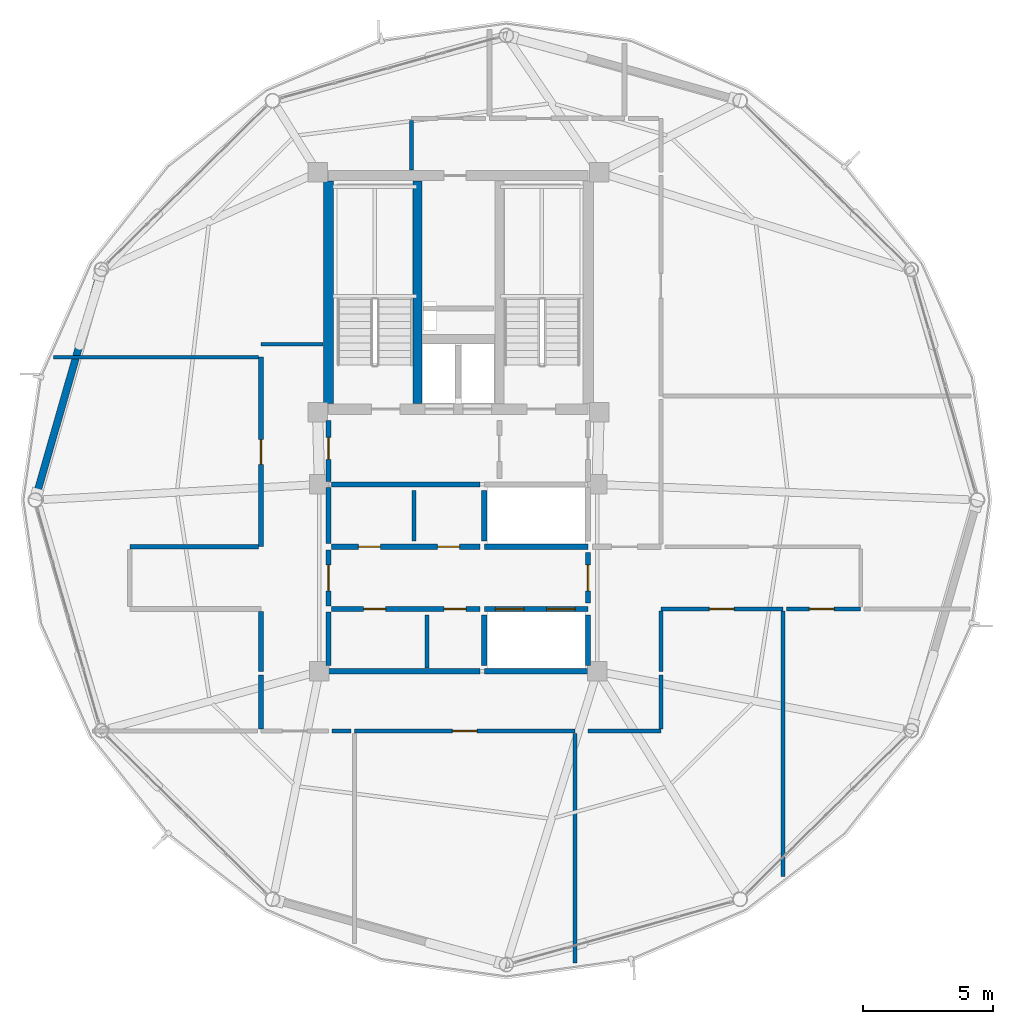
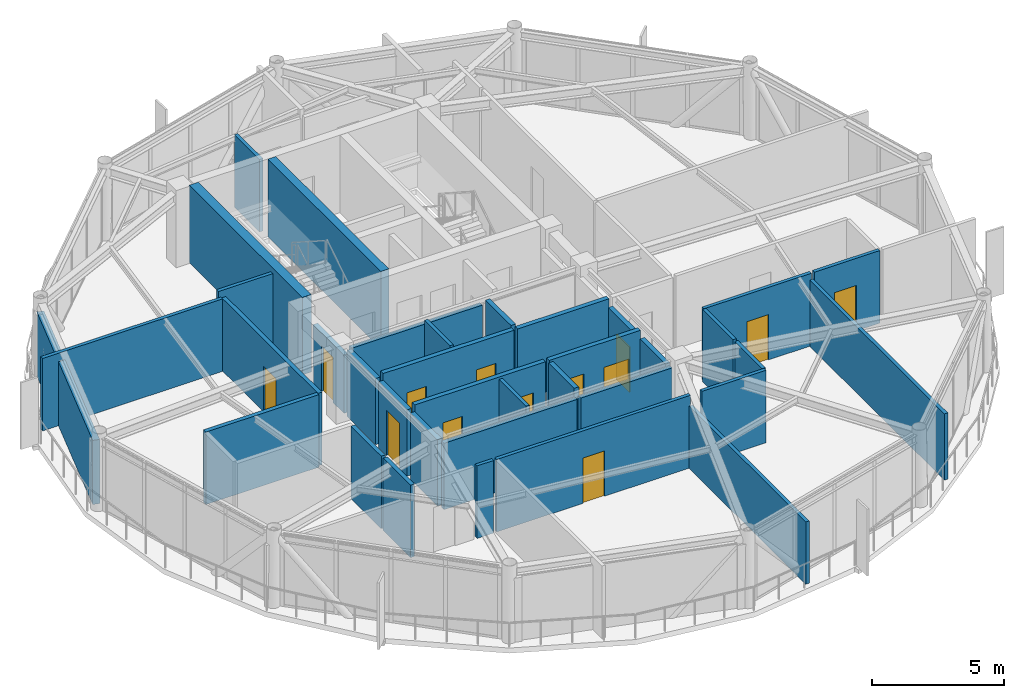
# One storey, part 21 of 26: 36 walls, 13 doors, 13 openings.
"""IFC4 building model written with IfcOpenShell, lengths in metres."""

from ifc_helpers import new_model, si_unit, direction, frame, frame_2d, origin, place, context, subcontext, project, spatial, rectangle, extrude, material, layer, layer_set, type_object, element, fill, save


model = new_model("IFC4")

# Units and contexts
model_context = context("Model", 3, precision=1e-05, world=origin(), true_north=direction((0.0, 1.0)))
body_context = subcontext(model_context, "Body", "Model", "MODEL_VIEW")
ifc_project = project(units=[si_unit("LENGTHUNIT", "METRE"), si_unit("AREAUNIT", "SQUARE_METRE"), si_unit("VOLUMEUNIT", "CUBIC_METRE"), si_unit("PLANEANGLEUNIT", "RADIAN"), si_unit("MASSUNIT", "GRAM", prefix="KILO")], contexts=[model_context])

# Site, building, storey
site_placement = place(None, origin())
site = spatial("IfcSite", under=ifc_project, at=site_placement, CompositionType="ELEMENT")
building_placement = place(site_placement, origin())
building = spatial("IfcBuilding", under=site, at=building_placement, Name="Varnakorn Sky Granary", CompositionType="ELEMENT")
storey_placement = place(building_placement, frame((0.0, 0.0, 267.0)))
storey = spatial("IfcBuildingStorey", under=building, at=storey_placement, Name="L68", CompositionType="ELEMENT", Elevation=267.0)

# Walls
ifc_material_1 = material(Name="Concrete C50/60", Category="concrete")
ifc_layer_1 = layer(ifc_material_1, 0.35009765625, Name="Concrete C50/60")
ifc_layer_set_1 = layer_set([ifc_layer_1], Name="Concrete C50/60")
wall_type_1 = type_object("IfcWallType", Name="WT-CW-INT-350", PredefinedType="SHEAR", material=ifc_layer_set_1)
wall_1_placement = place(storey_placement, frame((1.419921875, 3.7099609375, 0.0), z_axis=(0.0, 0.0, 1.0), x_axis=(0.0, 1.0, 0.0)))
element("IfcWall", 1, at=wall_1_placement, inside=storey, type_object=wall_type_1, Name="Stair ST-1 Core Wall L68", PredefinedType="SHEAR", context=body_context, shape_type="SweptSolid", body=[
    extrude(rectangle(XDim=8.580078125, YDim=0.35009765625, at=frame_2d((4.2900390625, 0.0))), origin(), (0.0, 0.0, 1.0), 3.592041015625),
])
ifc_layer_2 = layer(ifc_material_1, 0.39990234375, Name="Concrete C50/60")
ifc_layer_set_2 = layer_set([ifc_layer_2], Name="Concrete C50/60")
wall_type_2 = type_object("IfcWallType", Name="WT-CW-SHEAR-400", PredefinedType="SHEAR", material=ifc_layer_set_2)
wall_2_placement = place(storey_placement, frame((-2.0, 3.7099609375, 0.0), z_axis=(0.0, 0.0, 1.0), x_axis=(0.0, 1.0, 0.0)))
element("IfcWall", 2, at=wall_2_placement, inside=storey, type_object=wall_type_2, Name="Core West Shear Wall L68", PredefinedType="SHEAR", context=body_context, shape_type="SweptSolid", body=[
    extrude(rectangle(XDim=8.580078125, YDim=0.39990234375, at=frame_2d((4.2900390625, 0.0))), origin(), (0.0, 0.0, 1.0), 3.592041015625),
])
ifc_material_2 = material(Name="Precast concrete C40/50", Category="concrete")
ifc_layer_3 = layer(ifc_material_2, 0.280029296875, Name="Precast concrete C40/50")
ifc_layer_set_3 = layer_set([ifc_layer_3], Name="Precast concrete C40/50")
wall_type_3 = type_object("IfcWallType", Name="WT-EW-CRN-280", PredefinedType="SOLIDWALL", material=ifc_layer_set_3)
wall_3_placement = place(storey_placement, frame((-13.2412109375, 0.225341796875, 0.0), z_axis=(0.0, 0.0, 1.0), x_axis=(0.275816158288, 0.961210407157, 0.0)))
element("IfcWall", 3, at=wall_3_placement, inside=storey, type_object=wall_type_3, Name="Agritech Insulated Precast Facade Wall L68-P06", PredefinedType="SOLIDWALL", context=body_context, shape_type="SweptSolid", body=[
    extrude(rectangle(XDim=8.773681640625, YDim=0.280029296875, at=frame_2d((4.38671875, 0.0))), origin(), (0.0, 0.0, 1.0), 2.969970703125),
])

# Wall, opening, door
ifc_material_3 = material(Name="Autoclaved Aerated Concrete Blockwork", Category="masonry")
ifc_layer_4 = layer(ifc_material_3, 0.199951171875, Name="Autoclaved Aerated Concrete Blockwork")
ifc_layer_set_4 = layer_set([ifc_layer_4], Name="Autoclaved Aerated Concrete Blockwork")
wall_type_4 = type_object("IfcWallType", Name="WT-FIRE-200", PredefinedType="MOVABLE", material=ifc_layer_set_4)
wall_4_placement = place(storey_placement, frame((-2.0, 0.719970703125, 0.0), z_axis=(0.0, 0.0, 1.0), x_axis=(0.0, 1.0, 0.0)))
wall_4 = element("IfcWall", 4, at=wall_4_placement, inside=storey, type_object=wall_type_4, Name="Interior Partition Wall L68-012", PredefinedType="MOVABLE", context=body_context, shape_type="SweptSolid", body=[
    extrude(rectangle(XDim=2.35009765625, YDim=0.199951171875, at=frame_2d((1.175048828125, 0.0))), origin(), (0.0, 0.0, 1.0), 2.69189453125),
])
opening_1_placement = place(wall_4_placement, frame((0.844970703125, 0.0, 0.0)))
opening_1 = element("IfcOpeningElement", 5, at=opening_1_placement, cuts=wall_4, Name="Opening FD-60N", PredefinedType="OPENING", context=body_context, shape_type="SweptSolid", body=[
    extrude(rectangle(XDim=0.85009765625, YDim=2.10009765625, at=frame_2d((0.425048828125, 1.050048828125))), frame((0.0, 0.10986328125, 0.0), z_axis=(0.0, -1.0, 0.0), x_axis=(1.0, 0.0, 0.0)), (0.0, 0.0, 1.0), 0.219970703125),
])
ifc_material_4 = material(Name="Acoustic Timber Fire Leaf", Category="wood")
door_type_1 = type_object("IfcDoorType", Name="DR-FD60-850", OperationType="NOTDEFINED", PredefinedType="DOOR", material=ifc_material_4)
door_1_placement = place(opening_1_placement, origin())
door_1 = element("IfcDoor", 6, at=door_1_placement, inside=storey, type_object=door_type_1, Name="Interior Door L68-012-1", OperationType="SINGLE_SWING_LEFT", OverallHeight=2.10009765625, OverallWidth=0.85009765625, PredefinedType="DOOR", context=body_context, shape_type="SweptSolid", body=[
    extrude(rectangle(XDim=0.85009765625, YDim=2.10009765625, at=frame_2d((0.425048828125, 1.050048828125))), frame((0.0, 0.02490234375, 0.0), z_axis=(0.0, -1.0, 0.0), x_axis=(1.0, 0.0, 0.0)), (0.0, 0.0, 1.0), 0.050048828125),
])
fill(opening_1, door_1)

wall_5_placement = place(storey_placement, frame((-2.0, -4.080078125, 0.0), z_axis=(0.0, 0.0, 1.0), x_axis=(0.0, 1.0, 0.0)))
wall_5 = element("IfcWall", 7, at=wall_5_placement, inside=storey, type_object=wall_type_4, Name="Interior Partition Wall L68-014", PredefinedType="MOVABLE", context=body_context, shape_type="SweptSolid", body=[
    extrude(rectangle(XDim=2.16015625, YDim=0.199951171875, at=frame_2d((1.080078125, 0.0))), origin(), (0.0, 0.0, 1.0), 3.072021484375),
])
opening_2_placement = place(wall_5_placement, frame((0.580078125, 0.0, 0.0)))
opening_2 = element("IfcOpeningElement", 8, at=opening_2_placement, cuts=wall_5, Name="Opening FD-60", PredefinedType="OPENING", context=body_context, shape_type="SweptSolid", body=[
    extrude(rectangle(XDim=1.0, YDim=2.10009765625, at=frame_2d((0.5, 1.050048828125))), frame((0.0, 0.10986328125, 0.0), z_axis=(0.0, -1.0, 0.0), x_axis=(1.0, 0.0, 0.0)), (0.0, 0.0, 1.0), 0.219970703125),
])
door_type_2 = type_object("IfcDoorType", Name="DR-FD60-1000", OperationType="NOTDEFINED", PredefinedType="DOOR", material=ifc_material_4)
door_2_placement = place(opening_2_placement, origin())
door_2 = element("IfcDoor", 9, at=door_2_placement, inside=storey, type_object=door_type_2, Name="Interior Door L68-014-1", OperationType="SINGLE_SWING_LEFT", OverallHeight=2.10009765625, OverallWidth=1.0, PredefinedType="DOOR", context=body_context, shape_type="SweptSolid", body=[
    extrude(rectangle(XDim=1.0, YDim=2.10009765625, at=frame_2d((0.5, 1.050048828125))), frame((0.0, 0.02490234375, 0.0), z_axis=(0.0, -1.0, 0.0), x_axis=(1.0, 0.0, 0.0)), (0.0, 0.0, 1.0), 0.050048828125),
])
fill(opening_2, door_2)

wall_6_placement = place(storey_placement, frame((8.0, -3.969970703125, 0.0), z_axis=(0.0, 0.0, 1.0), x_axis=(0.0, 1.0, 0.0)))
wall_6 = element("IfcWall", 10, at=wall_6_placement, inside=storey, type_object=wall_type_4, Name="Interior Partition Wall L68-015", PredefinedType="MOVABLE", context=body_context, shape_type="SweptSolid", body=[
    extrude(rectangle(XDim=1.93994140625, YDim=0.199951171875, at=frame_2d((0.969970703125, 0.0))), origin(), (0.0, 0.0, 1.0), 3.072021484375),
])
opening_3_placement = place(wall_6_placement, frame((0.469970703125, 0.0, 0.0)))
opening_3 = element("IfcOpeningElement", 11, at=opening_3_placement, cuts=wall_6, Name="Opening FD-60", PredefinedType="OPENING", context=body_context, shape_type="SweptSolid", body=[
    extrude(rectangle(XDim=1.0, YDim=2.10009765625, at=frame_2d((0.5, 1.050048828125))), frame((0.0, 0.10986328125, 0.0), z_axis=(0.0, -1.0, 0.0), x_axis=(1.0, 0.0, 0.0)), (0.0, 0.0, 1.0), 0.219970703125),
])
door_3_placement = place(opening_3_placement, origin())
door_3 = element("IfcDoor", 12, at=door_3_placement, inside=storey, type_object=door_type_2, Name="Interior Door L68-015-1", OperationType="SINGLE_SWING_RIGHT", OverallHeight=2.10009765625, OverallWidth=1.0, PredefinedType="DOOR", context=body_context, shape_type="SweptSolid", body=[
    extrude(rectangle(XDim=1.0, YDim=2.10009765625, at=frame_2d((0.5, 1.050048828125))), frame((0.0, 0.02490234375, 0.0), z_axis=(0.0, -1.0, 0.0), x_axis=(1.0, 0.0, 0.0)), (0.0, 0.0, 1.0), 0.050048828125),
])
fill(opening_3, door_3)

# Wall, openings, doors
wall_7_placement = place(storey_placement, frame((-1.889892578125, -1.800048828125, 0.0), z_axis=(0.0, 0.0, 1.0), x_axis=(1.0, 0.0, 0.0)))
wall_7 = element("IfcWall", 13, at=wall_7_placement, inside=storey, type_object=wall_type_4, Name="Interior Partition Wall L68-016", PredefinedType="MOVABLE", context=body_context, shape_type="SweptSolid", body=[
    extrude(rectangle(XDim=5.72998046875, YDim=0.199951171875, at=frame_2d((2.864990234375, 0.0))), origin(), (0.0, 0.0, 1.0), 3.360107421875),
])
opening_4_placement = place(wall_7_placement, frame((1.0400390625, 0.0, 0.0)))
opening_4 = element("IfcOpeningElement", 14, at=opening_4_placement, cuts=wall_7, Name="Opening FD-60N", PredefinedType="OPENING", context=body_context, shape_type="SweptSolid", body=[
    extrude(rectangle(XDim=0.85009765625, YDim=2.10009765625, at=frame_2d((0.425048828125, 1.050048828125))), frame((0.0, 0.10986328125, 0.0), z_axis=(0.0, -1.0, 0.0), x_axis=(1.0, 0.0, 0.0)), (0.0, 0.0, 1.0), 0.219970703125),
])
opening_5_placement = place(wall_7_placement, frame((4.090087890625, 0.0, 0.0)))
opening_5 = element("IfcOpeningElement", 15, at=opening_5_placement, cuts=wall_7, Name="Opening FD-60N", PredefinedType="OPENING", context=body_context, shape_type="SweptSolid", body=[
    extrude(rectangle(XDim=0.85009765625, YDim=2.10009765625, at=frame_2d((0.425048828125, 1.050048828125))), frame((0.0, 0.10986328125, 0.0), z_axis=(0.0, -1.0, 0.0), x_axis=(1.0, 0.0, 0.0)), (0.0, 0.0, 1.0), 0.219970703125),
])
door_4_placement = place(opening_4_placement, origin())
door_4 = element("IfcDoor", 16, at=door_4_placement, inside=storey, type_object=door_type_1, Name="Interior Door L68-016-1", OperationType="SINGLE_SWING_LEFT", OverallHeight=2.10009765625, OverallWidth=0.85009765625, PredefinedType="DOOR", context=body_context, shape_type="SweptSolid", body=[
    extrude(rectangle(XDim=0.85009765625, YDim=2.10009765625, at=frame_2d((0.425048828125, 1.050048828125))), frame((0.0, 0.02490234375, 0.0), z_axis=(0.0, -1.0, 0.0), x_axis=(1.0, 0.0, 0.0)), (0.0, 0.0, 1.0), 0.050048828125),
])
fill(opening_4, door_4)
door_5_placement = place(opening_5_placement, origin())
door_5 = element("IfcDoor", 17, at=door_5_placement, inside=storey, type_object=door_type_1, Name="Interior Door L68-016-2", OperationType="SINGLE_SWING_RIGHT", OverallHeight=2.10009765625, OverallWidth=0.85009765625, PredefinedType="DOOR", context=body_context, shape_type="SweptSolid", body=[
    extrude(rectangle(XDim=0.85009765625, YDim=2.10009765625, at=frame_2d((0.425048828125, 1.050048828125))), frame((0.0, 0.02490234375, 0.0), z_axis=(0.0, -1.0, 0.0), x_axis=(1.0, 0.0, 0.0)), (0.0, 0.0, 1.0), 0.050048828125),
])
fill(opening_5, door_5)

wall_8_placement = place(storey_placement, frame((-1.889892578125, -4.199951171875, 0.0), z_axis=(0.0, 0.0, 1.0), x_axis=(1.0, 0.0, 0.0)))
wall_8 = element("IfcWall", 18, at=wall_8_placement, inside=storey, type_object=wall_type_4, Name="Interior Partition Wall L68-017", PredefinedType="MOVABLE", context=body_context, shape_type="SweptSolid", body=[
    extrude(rectangle(XDim=5.72998046875, YDim=0.199951171875, at=frame_2d((2.864990234375, 0.0))), origin(), (0.0, 0.0, 1.0), 3.360107421875),
])
opening_6_placement = place(wall_8_placement, frame((1.239990234375, 0.0, 0.0)))
opening_6 = element("IfcOpeningElement", 19, at=opening_6_placement, cuts=wall_8, Name="Opening FD-60N", PredefinedType="OPENING", context=body_context, shape_type="SweptSolid", body=[
    extrude(rectangle(XDim=0.85009765625, YDim=2.10009765625, at=frame_2d((0.425048828125, 1.050048828125))), frame((0.0, 0.10986328125, 0.0), z_axis=(0.0, -1.0, 0.0), x_axis=(1.0, 0.0, 0.0)), (0.0, 0.0, 1.0), 0.219970703125),
])
opening_7_placement = place(wall_8_placement, frame((4.340087890625, 0.0, 0.0)))
opening_7 = element("IfcOpeningElement", 20, at=opening_7_placement, cuts=wall_8, Name="Opening FD-60N", PredefinedType="OPENING", context=body_context, shape_type="SweptSolid", body=[
    extrude(rectangle(XDim=0.85009765625, YDim=2.10009765625, at=frame_2d((0.425048828125, 1.050048828125))), frame((0.0, 0.10986328125, 0.0), z_axis=(0.0, -1.0, 0.0), x_axis=(1.0, 0.0, 0.0)), (0.0, 0.0, 1.0), 0.219970703125),
])
door_6_placement = place(opening_6_placement, origin())
door_6 = element("IfcDoor", 21, at=door_6_placement, inside=storey, type_object=door_type_1, Name="Interior Door L68-017-1", OperationType="SINGLE_SWING_LEFT", OverallHeight=2.10009765625, OverallWidth=0.85009765625, PredefinedType="DOOR", context=body_context, shape_type="SweptSolid", body=[
    extrude(rectangle(XDim=0.85009765625, YDim=2.10009765625, at=frame_2d((0.425048828125, 1.050048828125))), frame((0.0, 0.02490234375, 0.0), z_axis=(0.0, -1.0, 0.0), x_axis=(1.0, 0.0, 0.0)), (0.0, 0.0, 1.0), 0.050048828125),
])
fill(opening_6, door_6)
door_7_placement = place(opening_7_placement, origin())
door_7 = element("IfcDoor", 22, at=door_7_placement, inside=storey, type_object=door_type_1, Name="Interior Door L68-017-2", OperationType="SINGLE_SWING_RIGHT", OverallHeight=2.10009765625, OverallWidth=0.85009765625, PredefinedType="DOOR", context=body_context, shape_type="SweptSolid", body=[
    extrude(rectangle(XDim=0.85009765625, YDim=2.10009765625, at=frame_2d((0.425048828125, 1.050048828125))), frame((0.0, 0.02490234375, 0.0), z_axis=(0.0, -1.0, 0.0), x_axis=(1.0, 0.0, 0.0)), (0.0, 0.0, 1.0), 0.050048828125),
])
fill(opening_7, door_7)

# Walls
wall_9_placement = place(storey_placement, frame((-1.8798828125, 0.60009765625, 0.0), z_axis=(0.0, 0.0, 1.0), x_axis=(1.0, 0.0, 0.0)))
element("IfcWall", 23, at=wall_9_placement, inside=storey, type_object=wall_type_4, Name="Interior Partition Wall L68-028", PredefinedType="MOVABLE", context=body_context, shape_type="SweptSolid", body=[
    extrude(rectangle(XDim=5.719970703125, YDim=0.199951171875, at=frame_2d((2.85986328125, 0.0))), origin(), (0.0, 0.0, 1.0), 3.072021484375),
])
wall_10_placement = place(storey_placement, frame((-2.0, -1.679931640625, 0.0), z_axis=(0.0, 0.0, 1.0), x_axis=(0.0, 1.0, 0.0)))
element("IfcWall", 24, at=wall_10_placement, inside=storey, type_object=wall_type_4, Name="Interior Partition Wall L68-030", PredefinedType="MOVABLE", context=body_context, shape_type="SweptSolid", body=[
    extrude(rectangle(XDim=2.159912109375, YDim=0.199951171875, at=frame_2d((1.080078125, 0.0))), origin(), (0.0, 0.0, 1.0), 3.072021484375),
])
wall_11_placement = place(storey_placement, frame((-2.0, -6.60009765625, 0.0), z_axis=(0.0, 0.0, 1.0), x_axis=(1.0, 0.0, 0.0)))
element("IfcWall", 25, at=wall_11_placement, inside=storey, type_object=wall_type_4, Name="Interior Partition Wall L68-032", PredefinedType="MOVABLE", context=body_context, shape_type="SweptSolid", body=[
    extrude(rectangle(XDim=5.840087890625, YDim=0.199951171875, at=frame_2d((2.919921875, 0.0))), origin(), (0.0, 0.0, 1.0), 3.072021484375),
])
wall_12_placement = place(storey_placement, frame((-2.0, -6.3701171875, 0.0), z_axis=(0.0, 0.0, 1.0), x_axis=(0.0, 1.0, 0.0)))
element("IfcWall", 26, at=wall_12_placement, inside=storey, type_object=wall_type_4, Name="Interior Partition Wall L68-033", PredefinedType="MOVABLE", context=body_context, shape_type="SweptSolid", body=[
    extrude(rectangle(XDim=2.050048828125, YDim=0.199951171875, at=frame_2d((1.02490234375, 0.0))), origin(), (0.0, 0.0, 1.0), 3.072021484375),
])

# Wall, opening, door
ifc_material_5 = material(Name="Gypsum Plasterboard on Steel Stud", Category="steel")
ifc_layer_5 = layer(ifc_material_5, 0.14990234375, Name="Gypsum Plasterboard on Steel Stud")
ifc_layer_set_5 = layer_set([ifc_layer_5], Name="Gypsum Plasterboard on Steel Stud")
wall_type_5 = type_object("IfcWallType", Name="WT-PART-150", PredefinedType="PARTITIONING", material=ifc_layer_set_5)
wall_13_placement = place(storey_placement, frame((-1.0, -8.89990234375, 0.0), z_axis=(0.0, 0.0, 1.0), x_axis=(1.0, 0.0, 0.0)))
wall_13 = element("IfcWall", 27, at=wall_13_placement, inside=storey, type_object=wall_type_5, Name="Interior Partition Wall L68-021", PredefinedType="PARTITIONING", context=body_context, shape_type="SweptSolid", body=[
    extrude(rectangle(XDim=8.5, YDim=0.14990234375, at=frame_2d((4.25, 0.0))), origin(), (0.0, 0.0, 1.0), 3.360107421875),
])
opening_8_placement = place(wall_13_placement, frame((3.77490234375, 0.0, 0.0)))
opening_8 = element("IfcOpeningElement", 28, at=opening_8_placement, cuts=wall_13, Name="Opening ID-95", PredefinedType="OPENING", context=body_context, shape_type="SweptSolid", body=[
    extrude(rectangle(XDim=0.949951171875, YDim=2.10009765625, at=frame_2d((0.47509765625, 1.050048828125))), frame((0.0, 0.0849609375, 0.0), z_axis=(0.0, -1.0, 0.0), x_axis=(1.0, 0.0, 0.0)), (0.0, 0.0, 1.0), 0.169921875),
])
ifc_material_6 = material(Name="Solid-Core Teak Veneer Leaf", Category="timber")
door_type_3 = type_object("IfcDoorType", Name="DR-INT-950", OperationType="NOTDEFINED", PredefinedType="DOOR", material=ifc_material_6)
door_8_placement = place(opening_8_placement, origin())
door_8 = element("IfcDoor", 29, at=door_8_placement, inside=storey, type_object=door_type_3, Name="Interior Door L68-021-1", OperationType="SINGLE_SWING_RIGHT", OverallHeight=2.10009765625, OverallWidth=0.949951171875, PredefinedType="DOOR", context=body_context, shape_type="SweptSolid", body=[
    extrude(rectangle(XDim=0.949951171875, YDim=2.10009765625, at=frame_2d((0.47509765625, 1.050048828125))), frame((0.0, 0.02490234375, 0.0), z_axis=(0.0, -1.0, 0.0), x_axis=(1.0, 0.0, 0.0)), (0.0, 0.0, 1.0), 0.050048828125),
])
fill(opening_8, door_8)

wall_14_placement = place(storey_placement, frame((10.800048828125, -4.199951171875, 0.0), z_axis=(0.0, 0.0, 1.0), x_axis=(1.0, 0.0, 0.0)))
wall_14 = element("IfcWall", 30, at=wall_14_placement, inside=storey, type_object=wall_type_5, Name="Interior Partition Wall L68-022", PredefinedType="PARTITIONING", context=body_context, shape_type="SweptSolid", body=[
    extrude(rectangle(XDim=4.699951171875, YDim=0.14990234375, at=frame_2d((2.35009765625, 0.0))), origin(), (0.0, 0.0, 1.0), 3.360107421875),
])
opening_9_placement = place(wall_14_placement, frame((1.875, 0.0, 0.0)))
opening_9 = element("IfcOpeningElement", 31, at=opening_9_placement, cuts=wall_14, Name="Opening ID-95", PredefinedType="OPENING", context=body_context, shape_type="SweptSolid", body=[
    extrude(rectangle(XDim=0.949951171875, YDim=2.10009765625, at=frame_2d((0.47509765625, 1.050048828125))), frame((0.0, 0.0849609375, 0.0), z_axis=(0.0, -1.0, 0.0), x_axis=(1.0, 0.0, 0.0)), (0.0, 0.0, 1.0), 0.169921875),
])
door_9_placement = place(opening_9_placement, origin())
door_9 = element("IfcDoor", 32, at=door_9_placement, inside=storey, type_object=door_type_3, Name="Interior Door L68-022-1", OperationType="SINGLE_SWING_LEFT", OverallHeight=2.10009765625, OverallWidth=0.949951171875, PredefinedType="DOOR", context=body_context, shape_type="SweptSolid", body=[
    extrude(rectangle(XDim=0.949951171875, YDim=2.10009765625, at=frame_2d((0.47509765625, 1.050048828125))), frame((0.0, 0.02490234375, 0.0), z_axis=(0.0, -1.0, 0.0), x_axis=(1.0, 0.0, 0.0)), (0.0, 0.0, 1.0), 0.050048828125),
])
fill(opening_9, door_9)

wall_15_placement = place(storey_placement, frame((15.635009765625, -4.199951171875, 0.0), z_axis=(0.0, 0.0, 1.0), x_axis=(1.0, 0.0, 0.0)))
wall_15 = element("IfcWall", 33, at=wall_15_placement, inside=storey, type_object=wall_type_5, Name="Interior Partition Wall L68-023", PredefinedType="PARTITIONING", context=body_context, shape_type="SweptSolid", body=[
    extrude(rectangle(XDim=2.864990234375, YDim=0.14990234375, at=frame_2d((1.4326171875, 0.0))), origin(), (0.0, 0.0, 1.0), 3.360107421875),
])
opening_10_placement = place(wall_15_placement, frame((0.889892578125, 0.0, 0.0)))
opening_10 = element("IfcOpeningElement", 34, at=opening_10_placement, cuts=wall_15, Name="Opening ID-95", PredefinedType="OPENING", context=body_context, shape_type="SweptSolid", body=[
    extrude(rectangle(XDim=0.949951171875, YDim=2.10009765625, at=frame_2d((0.47509765625, 1.050048828125))), frame((0.0, 0.0849609375, 0.0), z_axis=(0.0, -1.0, 0.0), x_axis=(1.0, 0.0, 0.0)), (0.0, 0.0, 1.0), 0.169921875),
])
door_10_placement = place(opening_10_placement, origin())
door_10 = element("IfcDoor", 35, at=door_10_placement, inside=storey, type_object=door_type_3, Name="Interior Door L68-023-1", OperationType="SINGLE_SWING_RIGHT", OverallHeight=2.10009765625, OverallWidth=0.949951171875, PredefinedType="DOOR", context=body_context, shape_type="SweptSolid", body=[
    extrude(rectangle(XDim=0.949951171875, YDim=2.10009765625, at=frame_2d((0.47509765625, 1.050048828125))), frame((0.0, 0.02490234375, 0.0), z_axis=(0.0, -1.0, 0.0), x_axis=(1.0, 0.0, 0.0)), (0.0, 0.0, 1.0), 0.050048828125),
])
fill(opening_10, door_10)

# Walls
wall_16_placement = place(storey_placement, frame((1.300048828125, -1.570068359375, 0.0), z_axis=(0.0, 0.0, 1.0), x_axis=(0.0, 1.0, 0.0)))
element("IfcWall", 36, at=wall_16_placement, inside=storey, type_object=wall_type_5, Name="Interior Partition Wall L68-029", PredefinedType="PARTITIONING", context=body_context, shape_type="SweptSolid", body=[
    extrude(rectangle(XDim=1.940185546875, YDim=0.14990234375, at=frame_2d((0.97021484375, 0.0))), origin(), (0.0, 0.0, 1.0), 3.360107421875),
])
wall_17_placement = place(storey_placement, frame((1.800048828125, -6.47998046875, 0.0), z_axis=(0.0, 0.0, 1.0), x_axis=(0.0, 1.0, 0.0)))
element("IfcWall", 37, at=wall_17_placement, inside=storey, type_object=wall_type_5, Name="Interior Partition Wall L68-031", PredefinedType="PARTITIONING", context=body_context, shape_type="SweptSolid", body=[
    extrude(rectangle(XDim=2.050048828125, YDim=0.14990234375, at=frame_2d((1.02490234375, 0.0))), origin(), (0.0, 0.0, 1.0), 3.360107421875),
])
wall_18_placement = place(storey_placement, frame((-1.864990234375, -8.89990234375, 0.0), z_axis=(0.0, 0.0, 1.0), x_axis=(1.0, 0.0, 0.0)))
element("IfcWall", 38, at=wall_18_placement, inside=storey, type_object=wall_type_5, Name="Interior Partition Wall L68-035", PredefinedType="PARTITIONING", context=body_context, shape_type="SweptSolid", body=[
    extrude(rectangle(XDim=0.72998046875, YDim=0.14990234375, at=frame_2d((0.364990234375, 0.0))), origin(), (0.0, 0.0, 1.0), 3.360107421875),
])
wall_19_placement = place(storey_placement, frame((7.5, -8.985107421875, 0.0), z_axis=(0.0, 0.0, 1.0), x_axis=(0.0, -1.0, 0.0)))
element("IfcWall", 39, at=wall_19_placement, inside=storey, type_object=wall_type_5, Name="Interior Partition Wall L68-038", PredefinedType="PARTITIONING", context=body_context, shape_type="SweptSolid", body=[
    extrude(rectangle(XDim=8.85888671875, YDim=0.14990234375, at=frame_2d((4.429443359375, 0.0))), origin(), (0.0, 0.0, 1.0), 2.89208984375),
])
wall_20_placement = place(storey_placement, frame((8.0, -8.89990234375, 0.0), z_axis=(0.0, 0.0, 1.0), x_axis=(1.0, 0.0, 0.0)))
element("IfcWall", 40, at=wall_20_placement, inside=storey, type_object=wall_type_5, Name="Interior Partition Wall L68-039", PredefinedType="PARTITIONING", context=body_context, shape_type="SweptSolid", body=[
    extrude(rectangle(XDim=2.800048828125, YDim=0.14990234375, at=frame_2d((1.39990234375, 0.0))), origin(), (0.0, 0.0, 1.0), 3.360107421875),
])
wall_21_placement = place(storey_placement, frame((10.800048828125, -6.60009765625, 0.0), z_axis=(0.0, 0.0, 1.0), x_axis=(0.0, 1.0, 0.0)))
element("IfcWall", 41, at=wall_21_placement, inside=storey, type_object=wall_type_5, Name="Interior Partition Wall L68-040", PredefinedType="PARTITIONING", context=body_context, shape_type="SweptSolid", body=[
    extrude(rectangle(XDim=2.315185546875, YDim=0.14990234375, at=frame_2d((1.15771484375, 0.0))), origin(), (0.0, 0.0, 1.0), 3.360107421875),
])
wall_22_placement = place(storey_placement, frame((10.800048828125, -8.81494140625, 0.0), z_axis=(0.0, 0.0, 1.0), x_axis=(0.0, 1.0, 0.0)))
element("IfcWall", 42, at=wall_22_placement, inside=storey, type_object=wall_type_5, Name="Interior Partition Wall L68-041", PredefinedType="PARTITIONING", context=body_context, shape_type="SweptSolid", body=[
    extrude(rectangle(XDim=2.079833984375, YDim=0.14990234375, at=frame_2d((1.0400390625, 0.0))), origin(), (0.0, 0.0, 1.0), 3.360107421875),
])
wall_23_placement = place(storey_placement, frame((15.5, -4.284912109375, 0.0), z_axis=(0.0, 0.0, 1.0), x_axis=(0.0, -1.0, 0.0)))
element("IfcWall", 43, at=wall_23_placement, inside=storey, type_object=wall_type_5, Name="Interior Partition Wall L68-042", PredefinedType="PARTITIONING", context=body_context, shape_type="SweptSolid", body=[
    extrude(rectangle(XDim=10.22607421875, YDim=0.14990234375, at=frame_2d((5.113037109375, 0.0))), origin(), (0.0, 0.0, 1.0), 3.072021484375),
])
wall_24_placement = place(storey_placement, frame((-12.590087890625, 5.5, 0.0), z_axis=(0.0, 0.0, 1.0), x_axis=(1.0, 0.0, 0.0)))
element("IfcWall", 44, at=wall_24_placement, inside=storey, type_object=wall_type_5, Name="Interior Partition Wall L68-049", PredefinedType="PARTITIONING", context=body_context, shape_type="SweptSolid", body=[
    extrude(rectangle(XDim=7.89013671875, YDim=0.14990234375, at=frame_2d((3.945068359375, 0.0))), origin(), (0.0, 0.0, 1.0), 3.360107421875),
])
wall_25_placement = place(storey_placement, frame((1.199951171875, 14.614990234375, 0.0), z_axis=(0.0, 0.0, 1.0), x_axis=(0.0, -1.0, 0.0)))
element("IfcWall", 45, at=wall_25_placement, inside=storey, type_object=wall_type_5, Name="Interior Partition Wall L68-050", PredefinedType="PARTITIONING", context=body_context, shape_type="SweptSolid", body=[
    extrude(rectangle(XDim=1.905029296875, YDim=0.14990234375, at=frame_2d((0.95263671875, 0.0))), origin(), (0.0, 0.0, 1.0), 3.360107421875),
])
wall_26_placement = place(storey_placement, frame((-2.2099609375, 6.0, 0.0), z_axis=(0.0, 0.0, 1.0), x_axis=(-1.0, 0.0, 0.0)))
element("IfcWall", 46, at=wall_26_placement, inside=storey, type_object=wall_type_5, Name="Interior Partition Wall L68-051", PredefinedType="PARTITIONING", context=body_context, shape_type="SweptSolid", body=[
    extrude(rectangle(XDim=2.39013671875, YDim=0.14990234375, at=frame_2d((1.195068359375, 0.0))), origin(), (0.0, 0.0, 1.0), 3.360107421875),
])

# Wall, opening, door
ifc_material_7 = material(Name="Moisture-Resistant Gypsum on Stud", Category="gypsum")
ifc_layer_6 = layer(ifc_material_7, 0.179931640625, Name="Moisture-Resistant Gypsum on Stud")
ifc_layer_set_6 = layer_set([ifc_layer_6], Name="Moisture-Resistant Gypsum on Stud")
wall_type_6 = type_object("IfcWallType", Name="WT-PLUMB-180", PredefinedType="PLUMBINGWALL", material=ifc_layer_set_6)
wall_27_placement = place(storey_placement, frame((-4.60009765625, 5.5, 0.0), z_axis=(0.0, 0.0, 1.0), x_axis=(0.0, -1.0, 0.0)))
wall_27 = element("IfcWall", 47, at=wall_27_placement, inside=storey, type_object=wall_type_6, Name="Interior Partition Wall L68-024", PredefinedType="PLUMBINGWALL", context=body_context, shape_type="SweptSolid", body=[
    extrude(rectangle(XDim=7.300048828125, YDim=0.179931640625, at=frame_2d((3.64990234375, 0.0))), origin(), (0.0, 0.0, 1.0), 3.360107421875),
])
opening_11_placement = place(wall_27_placement, frame((3.175048828125, 0.0, 0.0)))
opening_11 = element("IfcOpeningElement", 48, at=opening_11_placement, cuts=wall_27, Name="Opening ID-95", PredefinedType="OPENING", context=body_context, shape_type="SweptSolid", body=[
    extrude(rectangle(XDim=0.949951171875, YDim=2.10009765625, at=frame_2d((0.47509765625, 1.050048828125))), frame((0.0, 0.10009765625, 0.0), z_axis=(0.0, -1.0, 0.0), x_axis=(1.0, 0.0, 0.0)), (0.0, 0.0, 1.0), 0.199951171875),
])
door_11_placement = place(opening_11_placement, origin())
door_11 = element("IfcDoor", 49, at=door_11_placement, inside=storey, type_object=door_type_3, Name="Interior Door L68-024-1", OperationType="SINGLE_SWING_LEFT", OverallHeight=2.10009765625, OverallWidth=0.949951171875, PredefinedType="DOOR", context=body_context, shape_type="SweptSolid", body=[
    extrude(rectangle(XDim=0.949951171875, YDim=2.10009765625, at=frame_2d((0.47509765625, 1.050048828125))), frame((0.0, 0.02490234375, 0.0), z_axis=(0.0, -1.0, 0.0), x_axis=(1.0, 0.0, 0.0)), (0.0, 0.0, 1.0), 0.050048828125),
])
fill(opening_11, door_11)

# Walls
wall_28_placement = place(storey_placement, frame((-4.699951171875, -1.800048828125, 0.0), z_axis=(0.0, 0.0, 1.0), x_axis=(-1.0, 0.0, 0.0)))
element("IfcWall", 50, at=wall_28_placement, inside=storey, type_object=wall_type_6, Name="Interior Partition Wall L68-044", PredefinedType="PLUMBINGWALL", context=body_context, shape_type="SweptSolid", body=[
    extrude(rectangle(XDim=4.9560546875, YDim=0.179931640625, at=frame_2d((2.47802734375, 0.0))), origin(), (0.0, 0.0, 1.0), 3.360107421875),
])
wall_29_placement = place(storey_placement, frame((-4.60009765625, -4.300048828125, 0.0), z_axis=(0.0, 0.0, 1.0), x_axis=(0.0, -1.0, 0.0)))
element("IfcWall", 51, at=wall_29_placement, inside=storey, type_object=wall_type_6, Name="Interior Partition Wall L68-047", PredefinedType="PLUMBINGWALL", context=body_context, shape_type="SweptSolid", body=[
    extrude(rectangle(XDim=2.300048828125, YDim=0.179931640625, at=frame_2d((1.14990234375, 0.0))), origin(), (0.0, 0.0, 1.0), 3.360107421875),
])
wall_30_placement = place(storey_placement, frame((-4.60009765625, -6.75, 0.0), z_axis=(0.0, 0.0, 1.0), x_axis=(0.0, -1.0, 0.0)))
element("IfcWall", 52, at=wall_30_placement, inside=storey, type_object=wall_type_6, Name="Interior Partition Wall L68-048", PredefinedType="PLUMBINGWALL", context=body_context, shape_type="SweptSolid", body=[
    extrude(rectangle(XDim=2.06494140625, YDim=0.179931640625, at=frame_2d((1.032470703125, 0.0))), origin(), (0.0, 0.0, 1.0), 3.360107421875),
])
ifc_layer_7 = layer(ifc_material_3, 0.199951171875, Name="Autoclaved Aerated Concrete Blockwork")
ifc_layer_set_7 = layer_set([ifc_layer_7], Name="Autoclaved Aerated Concrete Blockwork")
wall_type_7 = type_object("IfcWallType", Name="WT-SHAFT-200", PredefinedType="SOLIDWALL", material=ifc_layer_set_7)
wall_31_placement = place(storey_placement, frame((4.0, -1.800048828125, 0.0), z_axis=(0.0, 0.0, 1.0), x_axis=(1.0, 0.0, 0.0)))
element("IfcWall", 53, at=wall_31_placement, inside=storey, type_object=wall_type_7, Name="Interior Partition Wall L68-004", PredefinedType="SOLIDWALL", context=body_context, shape_type="SweptSolid", body=[
    extrude(rectangle(XDim=4.0, YDim=0.199951171875, at=frame_2d((2.0, 0.0))), origin(), (0.0, 0.0, 1.0), 3.360107421875),
])
wall_32_placement = place(storey_placement, frame((4.0, -1.570068359375, 0.0), z_axis=(0.0, 0.0, 1.0), x_axis=(0.0, 1.0, 0.0)))
element("IfcWall", 54, at=wall_32_placement, inside=storey, type_object=wall_type_7, Name="Interior Partition Wall L68-005", PredefinedType="SOLIDWALL", context=body_context, shape_type="SweptSolid", body=[
    extrude(rectangle(XDim=1.940185546875, YDim=0.199951171875, at=frame_2d((0.97021484375, 0.0))), origin(), (0.0, 0.0, 1.0), 3.360107421875),
])

# Wall, openings, doors
wall_33_placement = place(storey_placement, frame((4.0, -4.199951171875, 0.0), z_axis=(0.0, 0.0, 1.0), x_axis=(1.0, 0.0, 0.0)))
wall_33 = element("IfcWall", 55, at=wall_33_placement, inside=storey, type_object=wall_type_7, Name="Interior Partition Wall L68-007", PredefinedType="SOLIDWALL", context=body_context, shape_type="SweptSolid", body=[
    extrude(rectangle(XDim=4.0, YDim=0.199951171875, at=frame_2d((2.0, 0.0))), origin(), (0.0, 0.0, 1.0), 3.360107421875),
])
opening_12_placement = place(wall_33_placement, frame((0.429931640625, 0.0, 0.0)))
opening_12 = element("IfcOpeningElement", 56, at=opening_12_placement, cuts=wall_33, Name="Opening LD-01", PredefinedType="OPENING", context=body_context, shape_type="SweptSolid", body=[
    extrude(rectangle(XDim=1.10009765625, YDim=2.199951171875, at=frame_2d((0.550048828125, 1.10009765625))), frame((0.0, 0.10986328125, 0.0), z_axis=(0.0, -1.0, 0.0), x_axis=(1.0, 0.0, 0.0)), (0.0, 0.0, 1.0), 0.219970703125),
])
opening_13_placement = place(wall_33_placement, frame((2.39990234375, 0.0, 0.0)))
opening_13 = element("IfcOpeningElement", 57, at=opening_13_placement, cuts=wall_33, Name="Opening LD-01", PredefinedType="OPENING", context=body_context, shape_type="SweptSolid", body=[
    extrude(rectangle(XDim=1.10009765625, YDim=2.199951171875, at=frame_2d((0.550048828125, 1.10009765625))), frame((0.0, 0.10986328125, 0.0), z_axis=(0.0, -1.0, 0.0), x_axis=(1.0, 0.0, 0.0)), (0.0, 0.0, 1.0), 0.219970703125),
])
ifc_material_8 = material(Name="Brushed Bronze Stainless Steel", Category="steel")
door_type_4 = type_object("IfcDoorType", Name="DR-LD-1100", OperationType="DOUBLE_DOOR_SLIDING", PredefinedType="DOOR", material=ifc_material_8)
door_12_placement = place(opening_12_placement, origin())
door_12 = element("IfcDoor", 58, at=door_12_placement, inside=storey, type_object=door_type_4, Name="Passenger Lift PL-H1 Sliding Landing Door L68", OperationType="DOUBLE_DOOR_SLIDING", OverallHeight=2.199951171875, OverallWidth=1.10009765625, PredefinedType="DOOR", context=body_context, shape_type="SweptSolid", body=[
    extrude(rectangle(XDim=1.10009765625, YDim=2.199951171875, at=frame_2d((0.550048828125, 1.10009765625))), frame((0.0, 0.02490234375, 0.0), z_axis=(0.0, -1.0, 0.0), x_axis=(1.0, 0.0, 0.0)), (0.0, 0.0, 1.0), 0.050048828125),
])
fill(opening_12, door_12)
door_13_placement = place(opening_13_placement, origin())
door_13 = element("IfcDoor", 59, at=door_13_placement, inside=storey, type_object=door_type_4, Name="Passenger Lift PL-H2 Sliding Landing Door L68", OperationType="DOUBLE_DOOR_SLIDING", OverallHeight=2.199951171875, OverallWidth=1.10009765625, PredefinedType="DOOR", context=body_context, shape_type="SweptSolid", body=[
    extrude(rectangle(XDim=1.10009765625, YDim=2.199951171875, at=frame_2d((0.550048828125, 1.10009765625))), frame((0.0, 0.02490234375, 0.0), z_axis=(0.0, -1.0, 0.0), x_axis=(1.0, 0.0, 0.0)), (0.0, 0.0, 1.0), 0.050048828125),
])
fill(opening_13, door_13)

# Walls
wall_34_placement = place(storey_placement, frame((4.0, -6.60009765625, 0.0), z_axis=(0.0, 0.0, 1.0), x_axis=(1.0, 0.0, 0.0)))
element("IfcWall", 60, at=wall_34_placement, inside=storey, type_object=wall_type_7, Name="Interior Partition Wall L68-008", PredefinedType="SOLIDWALL", context=body_context, shape_type="SweptSolid", body=[
    extrude(rectangle(XDim=4.0, YDim=0.199951171875, at=frame_2d((2.0, 0.0))), origin(), (0.0, 0.0, 1.0), 3.072021484375),
])
wall_35_placement = place(storey_placement, frame((4.0, -6.3701171875, 0.0), z_axis=(0.0, 0.0, 1.0), x_axis=(0.0, 1.0, 0.0)))
element("IfcWall", 61, at=wall_35_placement, inside=storey, type_object=wall_type_7, Name="Interior Partition Wall L68-009", PredefinedType="SOLIDWALL", context=body_context, shape_type="SweptSolid", body=[
    extrude(rectangle(XDim=1.940185546875, YDim=0.199951171875, at=frame_2d((0.97021484375, 0.0))), origin(), (0.0, 0.0, 1.0), 3.360107421875),
])
wall_36_placement = place(storey_placement, frame((8.0, -6.3701171875, 0.0), z_axis=(0.0, 0.0, 1.0), x_axis=(0.0, 1.0, 0.0)))
element("IfcWall", 62, at=wall_36_placement, inside=storey, type_object=wall_type_7, Name="Interior Partition Wall L68-010", PredefinedType="SOLIDWALL", context=body_context, shape_type="SweptSolid", body=[
    extrude(rectangle(XDim=1.940185546875, YDim=0.199951171875, at=frame_2d((0.97021484375, 0.0))), origin(), (0.0, 0.0, 1.0), 3.072021484375),
])

save(model, "model.ifc")
